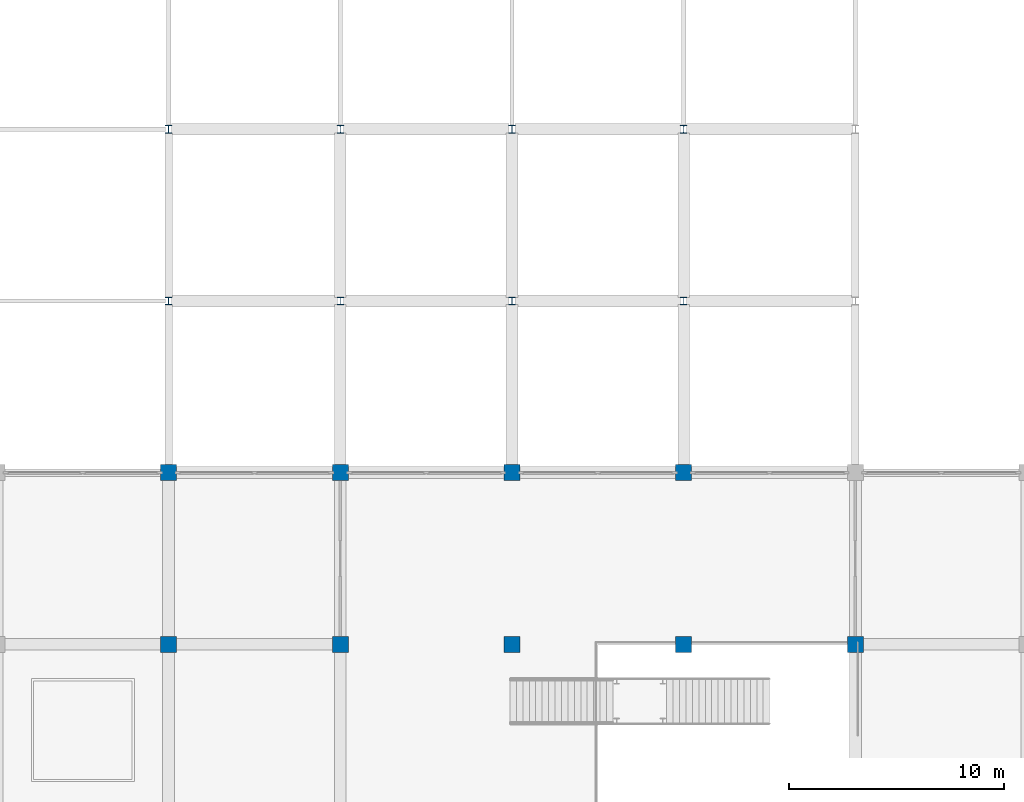
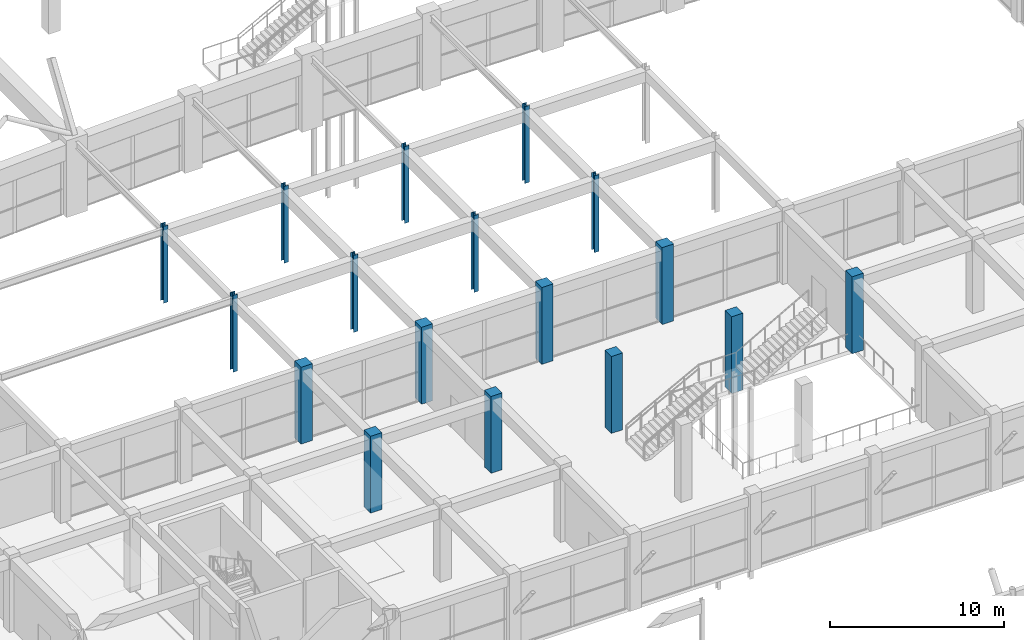
# One storey, part 6 of 69: 17 columns.
"""IFC4 building model written with IfcOpenShell, lengths in metres."""

import ifcopenshell
import ifcopenshell.guid

model = None  # the IFC model being written
_history = None  # IfcOwnerHistory: only IFC2X3 demands one
_inside = {}  # id of a spatial element -> (the spatial element, [elements in it])
_under = {}  # id of a project, library or spatial element -> (it, [spatial elements below it])
_declared = {}  # id of a project -> (the project, [libraries it declares])
_typed = {}  # id of a type object -> (the type object, [elements of that type])
_made_of = {}  # id of a material, layer set ... -> (it, [elements and type objects made of it])


def new_model(schema):
    """Start an empty IFC model of exactly this schema.

    Asked for "IFC4X3", IfcOpenShell would pick the latest addendum, in which some entities
    have other attributes; the version numbers below select the first issue.
    IFC2X3 requires an IfcOwnerHistory on every rooted entity: one is made here for all.
    """
    global model, _history
    if schema == "IFC4X3":
        model = ifcopenshell.file(schema_version=(4, 3, 0, 0))
    else:
        model = ifcopenshell.file(schema=schema)
    _inside.clear()
    _under.clear()
    _declared.clear()
    _typed.clear()
    _made_of.clear()
    _history = None
    if model.schema == "IFC2X3":
        org = make("IfcOrganization", Name="unknown")
        user = make(
            "IfcPersonAndOrganization",
            ThePerson=make("IfcPerson", FamilyName="unknown"),
            TheOrganization=org,
        )
        app = make(
            "IfcApplication",
            ApplicationDeveloper=org,
            Version="unknown",
            ApplicationFullName="unknown",
            ApplicationIdentifier="unknown",
        )
        _history = make(
            "IfcOwnerHistory",
            OwningUser=user,
            OwningApplication=app,
            ChangeAction="ADDED",
            CreationDate=0,
        )
    return model


def make(cls, **values):
    """One entity of the class cls with the attributes given. An attribute that is None is left unset."""
    return model.create_entity(
        cls, **{name: value for name, value in values.items() if value is not None}
    )


def rooted(cls, **values):
    """An entity with a GlobalId (a new one), such as an element, a storey or a relation."""
    return make(cls, GlobalId=ifcopenshell.guid.new(), OwnerHistory=_history, **values)


def si_unit(unit_type, name, prefix=None):
    """IfcSIUnit, for example si_unit("LENGTHUNIT", "METRE", prefix="MILLI")."""
    return make("IfcSIUnit", UnitType=unit_type, Prefix=prefix, Name=name)


def assignment(units):
    """IfcUnitAssignment: the units of a project."""
    return None if units is None else make("IfcUnitAssignment", Units=units)


def point(xyz):
    """IfcCartesianPoint."""
    return None if xyz is None else make("IfcCartesianPoint", Coordinates=xyz)


def direction(xyz):
    """IfcDirection."""
    return None if xyz is None else make("IfcDirection", DirectionRatios=xyz)


def frame(location, z_axis=None, x_axis=None):
    """IfcAxis2Placement3D, a coordinate frame: its origin and axes. An axis left out is left unset."""
    return make(
        "IfcAxis2Placement3D",
        Location=point(location),
        Axis=direction(z_axis),
        RefDirection=direction(x_axis),
    )


def frame_2d(location, x_axis=None):
    """IfcAxis2Placement2D, a coordinate frame in the plane: its origin and x axis."""
    return make(
        "IfcAxis2Placement2D", Location=point(location), RefDirection=direction(x_axis)
    )


def origin():
    """The frame at (0, 0, 0) with its axes left unset."""
    return frame((0.0, 0.0, 0.0))


def origin_2d():
    """The frame at (0, 0) in the plane with its x axis left unset."""
    return frame_2d((0.0, 0.0))


def place(relative_to, where):
    """IfcLocalPlacement: puts the frame where relative to a parent placement (None: the world)."""
    return make(
        "IfcLocalPlacement", PlacementRelTo=relative_to, RelativePlacement=where
    )


def context(
    kind, dimensions, precision=None, world=None, true_north=None, identifier=None
):
    """IfcGeometricRepresentationContext, for example the 3D "Model" context."""
    return make(
        "IfcGeometricRepresentationContext",
        ContextIdentifier=identifier,
        ContextType=kind,
        CoordinateSpaceDimension=dimensions,
        Precision=precision,
        WorldCoordinateSystem=world,
        TrueNorth=true_north,
    )


def subcontext(parent, identifier, kind, view, scale=None):
    """IfcGeometricRepresentationSubContext, for example "Body" below "Model"."""
    return make(
        "IfcGeometricRepresentationSubContext",
        ContextIdentifier=identifier,
        ContextType=kind,
        ParentContext=parent,
        TargetScale=scale,
        TargetView=view,
    )


def project(units=None, contexts=None):
    """IfcProject with its units and contexts."""
    return rooted(
        "IfcProject",
        Name="project",
        RepresentationContexts=contexts,
        UnitsInContext=assignment(units),
    )


def spatial(cls, under=None, at=None, **own):
    """A site, building, storey or space (cls), placed at a placement, below another one or the project."""
    s = rooted(cls, ObjectPlacement=at, **own)
    if under is not None:
        _under.setdefault(under.id(), (under, []))[1].append(s)
    return s


def profile(cls, at=None, kind="AREA", **sizes):
    """A parametric profile (cls). Its sizes go by their IFC names, for example OverallWidth=200.0."""
    return make(cls, ProfileType=kind, Position=at, **sizes)


def rectangle(**sizes):
    """IfcRectangleProfileDef."""
    return profile("IfcRectangleProfileDef", **sizes)


def i_section(**sizes):
    """IfcIShapeProfileDef."""
    return profile("IfcIShapeProfileDef", **sizes)


def extrude(swept, where, along, depth):
    """IfcExtrudedAreaSolid: the profile swept, set in the frame where, extruded along a direction by depth."""
    return make(
        "IfcExtrudedAreaSolid",
        SweptArea=swept,
        Position=where,
        ExtrudedDirection=direction(along),
        Depth=depth,
    )


def shape(context_of_items, identifier, shape_type, items):
    """IfcShapeRepresentation: the items that make up one representation, for example the "Body"."""
    return make(
        "IfcShapeRepresentation",
        ContextOfItems=context_of_items,
        RepresentationIdentifier=identifier,
        RepresentationType=shape_type,
        Items=items,
    )


def material(Name=None, Category=None):
    """IfcMaterial."""
    return make("IfcMaterial", Name=Name, Category=Category)


def material_profile(
    of_material, cross_section, Name=None, Category=None, Priority=None
):
    """IfcMaterialProfile: a cross section and its material."""
    return make(
        "IfcMaterialProfile",
        Name=Name,
        Material=of_material,
        Profile=cross_section,
        Priority=Priority,
        Category=Category,
    )


def profile_set(profiles, Name=None, composite=None):
    """IfcMaterialProfileSet."""
    return make(
        "IfcMaterialProfileSet",
        Name=Name,
        MaterialProfiles=profiles,
        CompositeProfile=composite,
    )


def made_of(thing, what):
    """Note that an element or type object is made of a material, layer set ...; save() writes the relation."""
    if what is not None:
        _made_of.setdefault(what.id(), (what, []))[1].append(thing)
    return thing


def type_object(cls, material=None, **own):
    """A type object (cls), such as IfcWallType, which elements share."""
    return made_of(rooted(cls, **own), material)


def element(
    cls,
    number,
    at=None,
    inside=None,
    cuts=None,
    type_object=None,
    material=None,
    context=None,
    identifier="Body",
    shape_type=None,
    held_by="IfcProductDefinitionShape",
    body=None,
    shapes=None,
    **own,
):
    """One element of the class cls, such as IfcWall. Its Tag is "e" and its number.

    at: its placement. inside: the storey or other place that contains it. cuts: it is an
    opening in that element (IfcRelVoidsElement). A single representation is given by context,
    identifier, shape_type and body (its items); several are given by shapes. held_by: the class
    of the entity that holds the representations. save() writes the other relations.
    """
    e = rooted(cls, Tag="e%d" % number, ObjectPlacement=at, **own)
    if body is not None:
        shapes = [shape(context, identifier, shape_type, body)]
    if shapes is not None:
        e.Representation = make(held_by, Representations=shapes)
    if inside is not None:
        _inside.setdefault(inside.id(), (inside, []))[1].append(e)
    if cuts is not None:
        rooted(
            "IfcRelVoidsElement", RelatingBuildingElement=cuts, RelatedOpeningElement=e
        )
    if type_object is not None:
        _typed.setdefault(type_object.id(), (type_object, []))[1].append(e)
    return made_of(e, material)


def aggregate(whole, parts):
    """IfcRelAggregates: a whole, such as a stair, and the parts it consists of."""
    return rooted("IfcRelAggregates", RelatingObject=whole, RelatedObjects=parts)


def save(model, path):
    """Write the relations noted so far, then the file.

    IfcRelAggregates (storeys below a building ...), IfcRelContainedInSpatialStructure (elements
    in a storey), IfcRelDefinesByType, IfcRelAssociatesMaterial and IfcRelDeclares: one each for
    every whole, place, type object, material and project.
    """
    for whole, parts in _under.values():
        aggregate(whole, parts)
    for where, things in _inside.values():
        rooted(
            "IfcRelContainedInSpatialStructure",
            RelatedElements=things,
            RelatingStructure=where,
        )
    for kind, things in _typed.values():
        rooted("IfcRelDefinesByType", RelatedObjects=things, RelatingType=kind)
    for what, things in _made_of.values():
        rooted("IfcRelAssociatesMaterial", RelatedObjects=things, RelatingMaterial=what)
    for by, libraries in _declared.values():
        rooted("IfcRelDeclares", RelatingContext=by, RelatedDefinitions=libraries)
    model.write(path)


model = new_model("IFC4")

# Units and contexts
model_context = context("Model", 3, precision=1e-05, world=origin(), true_north=direction((0.0, 1.0)))
body_context = subcontext(model_context, "Body", "Model", "MODEL_VIEW")
ifc_project = project(units=[si_unit("LENGTHUNIT", "METRE"), si_unit("AREAUNIT", "SQUARE_METRE"), si_unit("VOLUMEUNIT", "CUBIC_METRE"), si_unit("PLANEANGLEUNIT", "RADIAN"), si_unit("MASSUNIT", "GRAM", prefix="KILO")], contexts=[model_context])

# Site, building, storey
site_placement = place(None, origin())
site = spatial("IfcSite", under=ifc_project, at=site_placement, CompositionType="ELEMENT")
building_placement = place(site_placement, origin())
building = spatial("IfcBuilding", under=site, at=building_placement, Name="Kenh Van Central Station", CompositionType="ELEMENT")
storey_placement = place(building_placement, frame((0.0, 0.0, 5.39990234375)))
storey = spatial("IfcBuildingStorey", under=building, at=storey_placement, Name="L01", CompositionType="ELEMENT", Elevation=5.39990234375)

# Columns
ifc_material_1 = material(Name="Concrete C40/50", Category="concrete")
ifc_material_profile_1 = material_profile(ifc_material_1, rectangle(XDim=0.75, YDim=0.75, at=origin_2d()), Name="RC 750x750")
ifc_profile_set_1 = profile_set([ifc_material_profile_1], Name="Concrete C40/50")
column_type_1 = type_object("IfcColumnType", Name="COL-RC-750x750", PredefinedType="COLUMN", material=ifc_profile_set_1)
for number, where, z_axis, x_axis, name in (
    (1, (64.0, 32.0, 0.0), (0.0, 0.0, 1.0), (1.0, 0.0, 0.0), "L01 column CC-064-032"),
    (2, (64.0, 40.0, 0.0), (0.0, 0.0, 1.0), (1.0, 0.0, 0.0), "L01 column CC-064-040"),
    (3, (72.0, 32.0, 0.0), (0.0, 0.0, 1.0), (1.0, 0.0, 0.0), "L01 column CC-072-032"),
    (4, (72.0, 40.0, 0.0), (0.0, 0.0, 1.0), (1.0, 0.0, 0.0), "L01 column CC-072-040"),
    (5, (80.0, 32.0, 0.0), (0.0, 0.0, 1.0), (1.0, 0.0, 0.0), "L01 column CC-080-032"),
    (6, (80.0, 40.0, 0.0), (0.0, 0.0, 1.0), (1.0, 0.0, 0.0), "L01 column CC-080-040"),
    (7, (88.0, 32.0, 0.0), (0.0, 0.0, 1.0), (1.0, 0.0, 0.0), "L01 column CC-088-032"),
    (8, (88.0, 40.0, 0.0), (0.0, 0.0, 1.0), (1.0, 0.0, 0.0), "L01 column CC-088-040"),
    (9, (96.0, 32.0, 0.0), (0.0, 0.0, 1.0), (1.0, 0.0, 0.0), "L01 column CC-096-032"),
):
    element("IfcColumn", number, at=place(storey_placement, frame(where, z_axis=z_axis, x_axis=x_axis)), inside=storey, type_object=column_type_1, Name=name, PredefinedType="COLUMN", context=body_context, shape_type="SweptSolid", body=[
        extrude(rectangle(XDim=0.75, YDim=0.75, at=origin_2d()), origin(), (0.0, 0.0, 1.0), 5.400146484375),
    ])
ifc_material_2 = material(Name="Steel S355", Category="steel")
ifc_material_profile_2 = material_profile(ifc_material_2, i_section(OverallWidth=0.300048828125, OverallDepth=0.360107421875, WebThickness=0.012451171875, FlangeThickness=0.0224609375, FilletRadius=0.027099609375, at=origin_2d()), Name="HEB 360")
ifc_profile_set_2 = profile_set([ifc_material_profile_2], Name="Steel S355")
column_type_2 = type_object("IfcColumnType", Name="COL-STL-HEB360", PredefinedType="COLUMN", material=ifc_profile_set_2)
for number, where, z_axis, x_axis, name in (
    (10, (64.0, 48.0, 0.0), (0.0, 0.0, 1.0), (1.0, 0.0, 0.0), "L01 column CB-064-048"),
    (11, (64.0, 56.0, 0.0), (0.0, 0.0, 1.0), (1.0, 0.0, 0.0), "L01 column CB-064-056"),
    (12, (72.0, 48.0, 0.0), (0.0, 0.0, 1.0), (1.0, 0.0, 0.0), "L01 column CB-072-048"),
    (13, (72.0, 56.0, 0.0), (0.0, 0.0, 1.0), (1.0, 0.0, 0.0), "L01 column CB-072-056"),
    (14, (80.0, 48.0, 0.0), (0.0, 0.0, 1.0), (1.0, 0.0, 0.0), "L01 column CB-080-048"),
    (15, (80.0, 56.0, 0.0), (0.0, 0.0, 1.0), (1.0, 0.0, 0.0), "L01 column CB-080-056"),
    (16, (88.0, 48.0, 0.0), (0.0, 0.0, 1.0), (1.0, 0.0, 0.0), "L01 column CB-088-048"),
    (17, (88.0, 56.0, 0.0), (0.0, 0.0, 1.0), (1.0, 0.0, 0.0), "L01 column CB-088-056"),
):
    element("IfcColumn", number, at=place(storey_placement, frame(where, z_axis=z_axis, x_axis=x_axis)), inside=storey, type_object=column_type_2, Name=name, PredefinedType="COLUMN", context=body_context, shape_type="SweptSolid", body=[
        extrude(i_section(OverallWidth=0.300048828125, OverallDepth=0.360107421875, WebThickness=0.012451171875, FlangeThickness=0.0224609375, FilletRadius=0.027099609375, at=origin_2d()), origin(), (0.0, 0.0, 1.0), 5.400146484375),
    ])

save(model, "model.ifc")
